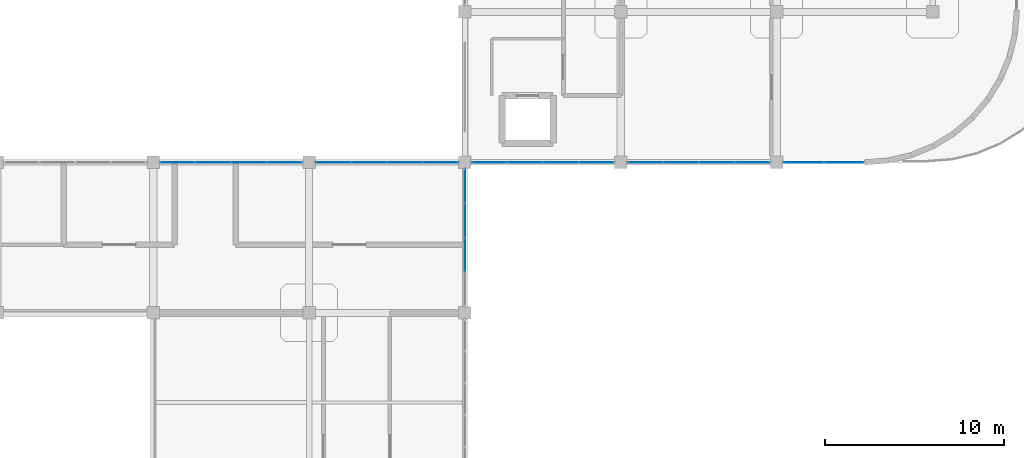
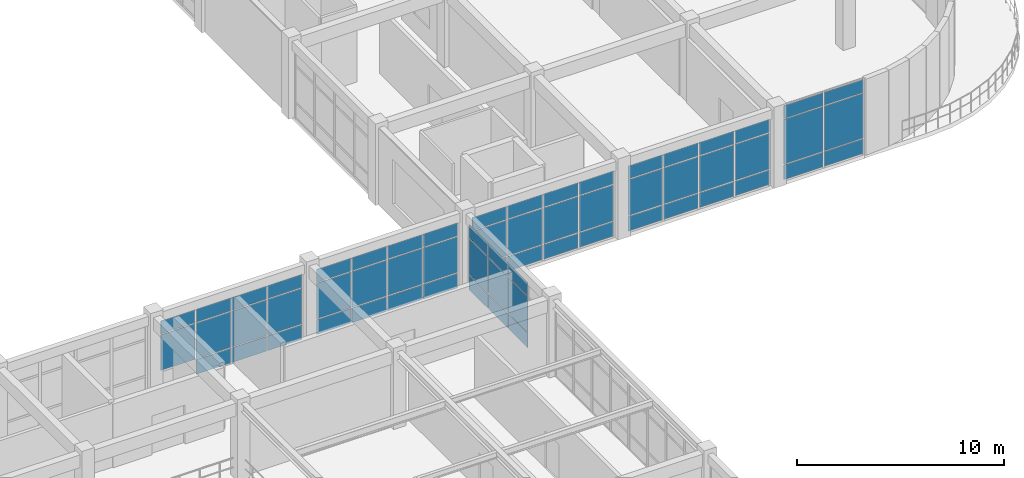
# One storey, part 57 of 76: 62 plates, 6 elements without a shape of their own.
"""IFC4 building model written with IfcOpenShell, lengths in metres."""

from ifc_helpers import new_model, si_unit, derived_unit, direction, frame, origin, origin_2d, place, context, subcontext, project, spatial, rectangle, extrude, material, layer, layer_set, type_object, element, aggregate, save


model = new_model("IFC4")

# Units and contexts
model_context = context("Model", 3, precision=1e-05, world=origin(), true_north=direction((0.0, 1.0)))
body_context = subcontext(model_context, "Body", "Model", "MODEL_VIEW")
ifc_project = project(units=[si_unit("LENGTHUNIT", "METRE"), si_unit("AREAUNIT", "SQUARE_METRE"), si_unit("VOLUMEUNIT", "CUBIC_METRE"), si_unit("PLANEANGLEUNIT", "RADIAN"), si_unit("MASSUNIT", "GRAM", prefix="KILO"), derived_unit("THERMALTRANSMITTANCEUNIT", [(si_unit("MASSUNIT", "GRAM", prefix="KILO"), 1), (si_unit("TIMEUNIT", "SECOND"), -3), (si_unit("THERMODYNAMICTEMPERATUREUNIT", "KELVIN"), -1)])], contexts=[model_context])

# Site, building, storey
site_placement = place(None, origin())
site = spatial("IfcSite", under=ifc_project, at=site_placement, CompositionType="ELEMENT")
building_placement = place(site_placement, origin())
building = spatial("IfcBuilding", under=site, at=building_placement, Name="Qinzheling Arcade Emporium", CompositionType="ELEMENT")
storey_placement = place(building_placement, frame((0.0, 0.0, 26.699951171875)))
storey = spatial("IfcBuildingStorey", under=building, at=storey_placement, Name="L06", CompositionType="ELEMENT", Elevation=26.699951171875)

# Curtain wall, plates
ifc_material_1 = material(Name="Anodised aluminium and solar-control double glazing", Category="aluminium")
ifc_layer_1 = layer(ifc_material_1, 0.159912109375, Name="Anodised aluminium and solar-control double glazing", Category="aluminium")
ifc_layer_set_1 = layer_set([ifc_layer_1], Name="Anodised aluminium and solar-control double glazing")
curtain_wall_type_1 = type_object("IfcCurtainWallType", Name="Arcade Portal Glazed Curtain Wall", PredefinedType="NOTDEFINED", material=ifc_layer_set_1)
curtain_wall_1_placement = place(storey_placement, origin())
curtain_wall_1 = element("IfcCurtainWall", 1, at=curtain_wall_1_placement, inside=storey, type_object=curtain_wall_type_1, Name="Curtain Wall CW-L06-395", PredefinedType="NOTDEFINED")
ifc_material_2 = material(Name="Laminated solar-control double glazing", Category="glass")
ifc_layer_2 = layer(ifc_material_2, 0.02099609375, Name="Laminated solar-control double glazing", Category="glass")
ifc_layer_set_2 = layer_set([ifc_layer_2], Name="Laminated solar-control double glazing")
plate_type_1 = type_object("IfcPlateType", Name="Low-E Double Glazed Curtain Panel 21mm", PredefinedType="CURTAIN_PANEL", material=ifc_layer_set_2)
plate_1_placement = place(storey_placement, frame((120.43359375, 73.800048828125, 0.06005859375), z_axis=(0.0, 0.0, 1.0), x_axis=(-1.0, 0.0, 0.0)))
plate_1 = element("IfcPlate", 2, at=plate_1_placement, type_object=plate_type_1, Name="CW05 panel 1.1", PredefinedType="CURTAIN_PANEL", context=body_context, shape_type="SweptSolid", body=[
    extrude(rectangle(XDim=1.908935546875, YDim=0.02099609375, at=origin_2d()), origin(), (0.0, 0.0, 1.0), 0.860107421875),
])
plate_2_placement = place(storey_placement, frame((120.43359375, 73.800048828125, 0.97998046875), z_axis=(0.0, 0.0, 1.0), x_axis=(-1.0, 0.0, 0.0)))
plate_2 = element("IfcPlate", 3, at=plate_2_placement, type_object=plate_type_1, Name="CW05 panel 1.2", PredefinedType="CURTAIN_PANEL", context=body_context, shape_type="SweptSolid", body=[
    extrude(rectangle(XDim=1.908935546875, YDim=0.02099609375, at=origin_2d()), origin(), (0.0, 0.0, 1.0), 2.110107421875),
])
plate_3_placement = place(storey_placement, frame((120.43359375, 73.800048828125, 3.14990234375), z_axis=(0.0, 0.0, 1.0), x_axis=(-1.0, 0.0, 0.0)))
plate_3 = element("IfcPlate", 4, at=plate_3_placement, type_object=plate_type_1, Name="CW05 panel 1.3", PredefinedType="CURTAIN_PANEL", context=body_context, shape_type="SweptSolid", body=[
    extrude(rectangle(XDim=1.908935546875, YDim=0.02099609375, at=origin_2d()), origin(), (0.0, 0.0, 1.0), 0.760009765625),
])
plate_4_placement = place(storey_placement, frame((118.449462890625, 73.800048828125, 0.06005859375), z_axis=(0.0, 0.0, 1.0), x_axis=(-1.0, 0.0, 0.0)))
plate_4 = element("IfcPlate", 5, at=plate_4_placement, type_object=plate_type_1, Name="CW05 panel 2.1", PredefinedType="CURTAIN_PANEL", context=body_context, shape_type="SweptSolid", body=[
    extrude(rectangle(XDim=1.93896484375, YDim=0.02099609375, at=origin_2d()), origin(), (0.0, 0.0, 1.0), 0.860107421875),
])
plate_5_placement = place(storey_placement, frame((118.449462890625, 73.800048828125, 0.97998046875), z_axis=(0.0, 0.0, 1.0), x_axis=(-1.0, 0.0, 0.0)))
plate_5 = element("IfcPlate", 6, at=plate_5_placement, type_object=plate_type_1, Name="CW05 panel 2.2", PredefinedType="CURTAIN_PANEL", context=body_context, shape_type="SweptSolid", body=[
    extrude(rectangle(XDim=1.93896484375, YDim=0.02099609375, at=origin_2d()), origin(), (0.0, 0.0, 1.0), 2.110107421875),
])
plate_6_placement = place(storey_placement, frame((118.449462890625, 73.800048828125, 3.14990234375), z_axis=(0.0, 0.0, 1.0), x_axis=(-1.0, 0.0, 0.0)))
plate_6 = element("IfcPlate", 7, at=plate_6_placement, type_object=plate_type_1, Name="CW05 panel 2.3", PredefinedType="CURTAIN_PANEL", context=body_context, shape_type="SweptSolid", body=[
    extrude(rectangle(XDim=1.93896484375, YDim=0.02099609375, at=origin_2d()), origin(), (0.0, 0.0, 1.0), 0.760009765625),
])
plate_7_placement = place(storey_placement, frame((116.450439453125, 73.800048828125, 0.06005859375), z_axis=(0.0, 0.0, 1.0), x_axis=(-1.0, 0.0, 0.0)))
plate_7 = element("IfcPlate", 8, at=plate_7_placement, type_object=plate_type_1, Name="CW05 panel 3.1", PredefinedType="CURTAIN_PANEL", context=body_context, shape_type="SweptSolid", body=[
    extrude(rectangle(XDim=1.93896484375, YDim=0.02099609375, at=origin_2d()), origin(), (0.0, 0.0, 1.0), 0.860107421875),
])
plate_8_placement = place(storey_placement, frame((116.450439453125, 73.800048828125, 0.97998046875), z_axis=(0.0, 0.0, 1.0), x_axis=(-1.0, 0.0, 0.0)))
plate_8 = element("IfcPlate", 9, at=plate_8_placement, type_object=plate_type_1, Name="CW05 panel 3.2", PredefinedType="CURTAIN_PANEL", context=body_context, shape_type="SweptSolid", body=[
    extrude(rectangle(XDim=1.93896484375, YDim=0.02099609375, at=origin_2d()), origin(), (0.0, 0.0, 1.0), 2.110107421875),
])
plate_9_placement = place(storey_placement, frame((116.450439453125, 73.800048828125, 3.14990234375), z_axis=(0.0, 0.0, 1.0), x_axis=(-1.0, 0.0, 0.0)))
plate_9 = element("IfcPlate", 10, at=plate_9_placement, type_object=plate_type_1, Name="CW05 panel 3.3", PredefinedType="CURTAIN_PANEL", context=body_context, shape_type="SweptSolid", body=[
    extrude(rectangle(XDim=1.93896484375, YDim=0.02099609375, at=origin_2d()), origin(), (0.0, 0.0, 1.0), 0.760009765625),
])
plate_10_placement = place(storey_placement, frame((114.466552734375, 73.800048828125, 0.06005859375), z_axis=(0.0, 0.0, 1.0), x_axis=(-1.0, 0.0, 0.0)))
plate_10 = element("IfcPlate", 11, at=plate_10_placement, type_object=plate_type_1, Name="CW05 panel 4.1", PredefinedType="CURTAIN_PANEL", context=body_context, shape_type="SweptSolid", body=[
    extrude(rectangle(XDim=1.908935546875, YDim=0.02099609375, at=origin_2d()), origin(), (0.0, 0.0, 1.0), 0.860107421875),
])
plate_11_placement = place(storey_placement, frame((114.466552734375, 73.800048828125, 0.97998046875), z_axis=(0.0, 0.0, 1.0), x_axis=(-1.0, 0.0, 0.0)))
plate_11 = element("IfcPlate", 12, at=plate_11_placement, type_object=plate_type_1, Name="CW05 panel 4.2", PredefinedType="CURTAIN_PANEL", context=body_context, shape_type="SweptSolid", body=[
    extrude(rectangle(XDim=1.908935546875, YDim=0.02099609375, at=origin_2d()), origin(), (0.0, 0.0, 1.0), 2.110107421875),
])
plate_12_placement = place(storey_placement, frame((114.466552734375, 73.800048828125, 3.14990234375), z_axis=(0.0, 0.0, 1.0), x_axis=(-1.0, 0.0, 0.0)))
plate_12 = element("IfcPlate", 13, at=plate_12_placement, type_object=plate_type_1, Name="CW05 panel 4.3", PredefinedType="CURTAIN_PANEL", context=body_context, shape_type="SweptSolid", body=[
    extrude(rectangle(XDim=1.908935546875, YDim=0.02099609375, at=origin_2d()), origin(), (0.0, 0.0, 1.0), 0.760009765625),
])
aggregate(curtain_wall_1, [plate_1, plate_2, plate_3, plate_4, plate_5, plate_6, plate_7, plate_8, plate_9, plate_10, plate_11, plate_12])

curtain_wall_2_placement = place(storey_placement, origin())
curtain_wall_2 = element("IfcCurtainWall", 14, at=curtain_wall_2_placement, inside=storey, type_object=curtain_wall_type_1, Name="Curtain Wall CW-L06-396", PredefinedType="NOTDEFINED")
ifc_layer_3 = layer(ifc_material_2, 0.02197265625, Name="Laminated solar-control double glazing", Category="glass")
ifc_layer_set_3 = layer_set([ifc_layer_3], Name="Laminated solar-control double glazing")
plate_type_2 = type_object("IfcPlateType", Name="Low-E Double Glazed Curtain Panel 22mm", PredefinedType="CURTAIN_PANEL", material=ifc_layer_set_3)
plate_13_placement = place(storey_placement, frame((111.7333984375, 73.800048828125, 0.06005859375), z_axis=(0.0, 0.0, 1.0), x_axis=(-1.0, 0.0, 0.0)))
plate_13 = element("IfcPlate", 15, at=plate_13_placement, type_object=plate_type_2, Name="CW05 panel 1.1", PredefinedType="CURTAIN_PANEL", context=body_context, shape_type="SweptSolid", body=[
    extrude(rectangle(XDim=1.908935546875, YDim=0.02197265625, at=origin_2d()), origin(), (0.0, 0.0, 1.0), 0.860107421875),
])
plate_14_placement = place(storey_placement, frame((111.7333984375, 73.800048828125, 0.97998046875), z_axis=(0.0, 0.0, 1.0), x_axis=(-1.0, 0.0, 0.0)))
plate_14 = element("IfcPlate", 16, at=plate_14_placement, type_object=plate_type_2, Name="CW05 panel 1.2", PredefinedType="CURTAIN_PANEL", context=body_context, shape_type="SweptSolid", body=[
    extrude(rectangle(XDim=1.908935546875, YDim=0.02197265625, at=origin_2d()), origin(), (0.0, 0.0, 1.0), 2.110107421875),
])
plate_15_placement = place(storey_placement, frame((111.7333984375, 73.800048828125, 3.14990234375), z_axis=(0.0, 0.0, 1.0), x_axis=(-1.0, 0.0, 0.0)))
plate_15 = element("IfcPlate", 17, at=plate_15_placement, type_object=plate_type_2, Name="CW05 panel 1.3", PredefinedType="CURTAIN_PANEL", context=body_context, shape_type="SweptSolid", body=[
    extrude(rectangle(XDim=1.908935546875, YDim=0.02197265625, at=origin_2d()), origin(), (0.0, 0.0, 1.0), 0.760009765625),
])
plate_16_placement = place(storey_placement, frame((109.74951171875, 73.800048828125, 0.06005859375), z_axis=(0.0, 0.0, 1.0), x_axis=(-1.0, 0.0, 0.0)))
plate_16 = element("IfcPlate", 18, at=plate_16_placement, type_object=plate_type_2, Name="CW05 panel 2.1", PredefinedType="CURTAIN_PANEL", context=body_context, shape_type="SweptSolid", body=[
    extrude(rectangle(XDim=1.93896484375, YDim=0.02197265625, at=origin_2d()), origin(), (0.0, 0.0, 1.0), 0.860107421875),
])
plate_17_placement = place(storey_placement, frame((109.74951171875, 73.800048828125, 0.97998046875), z_axis=(0.0, 0.0, 1.0), x_axis=(-1.0, 0.0, 0.0)))
plate_17 = element("IfcPlate", 19, at=plate_17_placement, type_object=plate_type_2, Name="CW05 panel 2.2", PredefinedType="CURTAIN_PANEL", context=body_context, shape_type="SweptSolid", body=[
    extrude(rectangle(XDim=1.93896484375, YDim=0.02197265625, at=origin_2d()), origin(), (0.0, 0.0, 1.0), 2.110107421875),
])
plate_18_placement = place(storey_placement, frame((109.74951171875, 73.800048828125, 3.14990234375), z_axis=(0.0, 0.0, 1.0), x_axis=(-1.0, 0.0, 0.0)))
plate_18 = element("IfcPlate", 20, at=plate_18_placement, type_object=plate_type_2, Name="CW05 panel 2.3", PredefinedType="CURTAIN_PANEL", context=body_context, shape_type="SweptSolid", body=[
    extrude(rectangle(XDim=1.93896484375, YDim=0.02197265625, at=origin_2d()), origin(), (0.0, 0.0, 1.0), 0.760009765625),
])
plate_19_placement = place(storey_placement, frame((107.75048828125, 73.800048828125, 0.06005859375), z_axis=(0.0, 0.0, 1.0), x_axis=(-1.0, 0.0, 0.0)))
plate_19 = element("IfcPlate", 21, at=plate_19_placement, type_object=plate_type_2, Name="CW05 panel 3.1", PredefinedType="CURTAIN_PANEL", context=body_context, shape_type="SweptSolid", body=[
    extrude(rectangle(XDim=1.93896484375, YDim=0.02197265625, at=origin_2d()), origin(), (0.0, 0.0, 1.0), 0.860107421875),
])
plate_20_placement = place(storey_placement, frame((107.75048828125, 73.800048828125, 0.97998046875), z_axis=(0.0, 0.0, 1.0), x_axis=(-1.0, 0.0, 0.0)))
plate_20 = element("IfcPlate", 22, at=plate_20_placement, type_object=plate_type_2, Name="CW05 panel 3.2", PredefinedType="CURTAIN_PANEL", context=body_context, shape_type="SweptSolid", body=[
    extrude(rectangle(XDim=1.93896484375, YDim=0.02197265625, at=origin_2d()), origin(), (0.0, 0.0, 1.0), 2.110107421875),
])
plate_21_placement = place(storey_placement, frame((107.75048828125, 73.800048828125, 3.14990234375), z_axis=(0.0, 0.0, 1.0), x_axis=(-1.0, 0.0, 0.0)))
plate_21 = element("IfcPlate", 23, at=plate_21_placement, type_object=plate_type_2, Name="CW05 panel 3.3", PredefinedType="CURTAIN_PANEL", context=body_context, shape_type="SweptSolid", body=[
    extrude(rectangle(XDim=1.93896484375, YDim=0.02197265625, at=origin_2d()), origin(), (0.0, 0.0, 1.0), 0.760009765625),
])
plate_22_placement = place(storey_placement, frame((105.7666015625, 73.800048828125, 0.06005859375), z_axis=(0.0, 0.0, 1.0), x_axis=(-1.0, 0.0, 0.0)))
plate_22 = element("IfcPlate", 24, at=plate_22_placement, type_object=plate_type_2, Name="CW05 panel 4.1", PredefinedType="CURTAIN_PANEL", context=body_context, shape_type="SweptSolid", body=[
    extrude(rectangle(XDim=1.908935546875, YDim=0.02197265625, at=origin_2d()), origin(), (0.0, 0.0, 1.0), 0.860107421875),
])
plate_23_placement = place(storey_placement, frame((105.7666015625, 73.800048828125, 0.97998046875), z_axis=(0.0, 0.0, 1.0), x_axis=(-1.0, 0.0, 0.0)))
plate_23 = element("IfcPlate", 25, at=plate_23_placement, type_object=plate_type_2, Name="CW05 panel 4.2", PredefinedType="CURTAIN_PANEL", context=body_context, shape_type="SweptSolid", body=[
    extrude(rectangle(XDim=1.908935546875, YDim=0.02197265625, at=origin_2d()), origin(), (0.0, 0.0, 1.0), 2.110107421875),
])
plate_24_placement = place(storey_placement, frame((105.7666015625, 73.800048828125, 3.14990234375), z_axis=(0.0, 0.0, 1.0), x_axis=(-1.0, 0.0, 0.0)))
plate_24 = element("IfcPlate", 26, at=plate_24_placement, type_object=plate_type_2, Name="CW05 panel 4.3", PredefinedType="CURTAIN_PANEL", context=body_context, shape_type="SweptSolid", body=[
    extrude(rectangle(XDim=1.908935546875, YDim=0.02197265625, at=origin_2d()), origin(), (0.0, 0.0, 1.0), 0.760009765625),
])
aggregate(curtain_wall_2, [plate_13, plate_14, plate_15, plate_16, plate_17, plate_18, plate_19, plate_20, plate_21, plate_22, plate_23, plate_24])

ifc_layer_4 = layer(ifc_material_1, 0.159912109375, Name="Anodised aluminium and solar-control double glazing", Category="aluminium")
ifc_layer_set_4 = layer_set([ifc_layer_4], Name="Anodised aluminium and solar-control double glazing")
curtain_wall_type_2 = type_object("IfcCurtainWallType", Name="Atrium Clerestory Curtain Wall", PredefinedType="NOTDEFINED", material=ifc_layer_set_4)
curtain_wall_3_placement = place(storey_placement, origin())
curtain_wall_3 = element("IfcCurtainWall", 27, at=curtain_wall_3_placement, inside=storey, type_object=curtain_wall_type_2, Name="Curtain Wall CW-L06-371", PredefinedType="NOTDEFINED")
ifc_layer_5 = layer(ifc_material_2, 0.030029296875, Name="Laminated solar-control double glazing", Category="glass")
ifc_layer_set_5 = layer_set([ifc_layer_5], Name="Laminated solar-control double glazing")
plate_type_3 = type_object("IfcPlateType", Name="Low-E Double Glazed Curtain Panel 30mm", PredefinedType="CURTAIN_PANEL", material=ifc_layer_set_5)
plate_25_placement = place(storey_placement, frame((88.366455078125, 73.800048828125, 0.97998046875), z_axis=(0.0, 0.0, 1.0), x_axis=(1.0, 0.0, 0.0)))
plate_25 = element("IfcPlate", 28, at=plate_25_placement, type_object=plate_type_3, Name="CW03 panel 1.2", PredefinedType="CURTAIN_PANEL", context=body_context, shape_type="SweptSolid", body=[
    extrude(rectangle(XDim=1.908935546875, YDim=0.030029296875, at=origin_2d()), origin(), (0.0, 0.0, 1.0), 2.094970703125),
])
plate_26_placement = place(storey_placement, frame((88.366455078125, 73.800048828125, 3.13525390625), z_axis=(0.0, 0.0, 1.0), x_axis=(1.0, 0.0, 0.0)))
plate_26 = element("IfcPlate", 29, at=plate_26_placement, type_object=plate_type_3, Name="CW03 panel 1.3", PredefinedType="CURTAIN_PANEL", context=body_context, shape_type="SweptSolid", body=[
    extrude(rectangle(XDim=1.908935546875, YDim=0.030029296875, at=origin_2d()), origin(), (0.0, 0.0, 1.0), 0.760009765625),
])
plate_27_placement = place(storey_placement, frame((90.3505859375, 73.800048828125, 0.06005859375), z_axis=(0.0, 0.0, 1.0), x_axis=(1.0, 0.0, 0.0)))
plate_27 = element("IfcPlate", 30, at=plate_27_placement, type_object=plate_type_3, Name="CW03 panel 2.1", PredefinedType="CURTAIN_PANEL", context=body_context, shape_type="SweptSolid", body=[
    extrude(rectangle(XDim=1.93896484375, YDim=0.030029296875, at=origin_2d()), origin(), (0.0, 0.0, 1.0), 0.860107421875),
])
plate_28_placement = place(storey_placement, frame((90.3505859375, 73.800048828125, 0.97998046875), z_axis=(0.0, 0.0, 1.0), x_axis=(1.0, 0.0, 0.0)))
plate_28 = element("IfcPlate", 31, at=plate_28_placement, type_object=plate_type_3, Name="CW03 panel 2.2", PredefinedType="CURTAIN_PANEL", context=body_context, shape_type="SweptSolid", body=[
    extrude(rectangle(XDim=1.93896484375, YDim=0.030029296875, at=origin_2d()), origin(), (0.0, 0.0, 1.0), 2.094970703125),
])
plate_29_placement = place(storey_placement, frame((90.3505859375, 73.800048828125, 3.13525390625), z_axis=(0.0, 0.0, 1.0), x_axis=(1.0, 0.0, 0.0)))
plate_29 = element("IfcPlate", 32, at=plate_29_placement, type_object=plate_type_3, Name="CW03 panel 2.3", PredefinedType="CURTAIN_PANEL", context=body_context, shape_type="SweptSolid", body=[
    extrude(rectangle(XDim=1.93896484375, YDim=0.030029296875, at=origin_2d()), origin(), (0.0, 0.0, 1.0), 0.760009765625),
])
plate_30_placement = place(storey_placement, frame((92.349609375, 73.800048828125, 0.06005859375), z_axis=(0.0, 0.0, 1.0), x_axis=(1.0, 0.0, 0.0)))
plate_30 = element("IfcPlate", 33, at=plate_30_placement, type_object=plate_type_3, Name="CW03 panel 3.1", PredefinedType="CURTAIN_PANEL", context=body_context, shape_type="SweptSolid", body=[
    extrude(rectangle(XDim=1.93896484375, YDim=0.030029296875, at=origin_2d()), origin(), (0.0, 0.0, 1.0), 0.860107421875),
])
plate_31_placement = place(storey_placement, frame((92.349609375, 73.800048828125, 0.97998046875), z_axis=(0.0, 0.0, 1.0), x_axis=(1.0, 0.0, 0.0)))
plate_31 = element("IfcPlate", 34, at=plate_31_placement, type_object=plate_type_3, Name="CW03 panel 3.2", PredefinedType="CURTAIN_PANEL", context=body_context, shape_type="SweptSolid", body=[
    extrude(rectangle(XDim=1.93896484375, YDim=0.030029296875, at=origin_2d()), origin(), (0.0, 0.0, 1.0), 2.094970703125),
])
plate_32_placement = place(storey_placement, frame((92.349609375, 73.800048828125, 3.13525390625), z_axis=(0.0, 0.0, 1.0), x_axis=(1.0, 0.0, 0.0)))
plate_32 = element("IfcPlate", 35, at=plate_32_placement, type_object=plate_type_3, Name="CW03 panel 3.3", PredefinedType="CURTAIN_PANEL", context=body_context, shape_type="SweptSolid", body=[
    extrude(rectangle(XDim=1.93896484375, YDim=0.030029296875, at=origin_2d()), origin(), (0.0, 0.0, 1.0), 0.760009765625),
])
plate_33_placement = place(storey_placement, frame((94.33349609375, 73.800048828125, 0.06005859375), z_axis=(0.0, 0.0, 1.0), x_axis=(1.0, 0.0, 0.0)))
plate_33 = element("IfcPlate", 36, at=plate_33_placement, type_object=plate_type_3, Name="CW03 panel 4.1", PredefinedType="CURTAIN_PANEL", context=body_context, shape_type="SweptSolid", body=[
    extrude(rectangle(XDim=1.908935546875, YDim=0.030029296875, at=origin_2d()), origin(), (0.0, 0.0, 1.0), 0.860107421875),
])
plate_34_placement = place(storey_placement, frame((94.33349609375, 73.800048828125, 0.97998046875), z_axis=(0.0, 0.0, 1.0), x_axis=(1.0, 0.0, 0.0)))
plate_34 = element("IfcPlate", 37, at=plate_34_placement, type_object=plate_type_3, Name="CW03 panel 4.2", PredefinedType="CURTAIN_PANEL", context=body_context, shape_type="SweptSolid", body=[
    extrude(rectangle(XDim=1.908935546875, YDim=0.030029296875, at=origin_2d()), origin(), (0.0, 0.0, 1.0), 2.094970703125),
])
plate_35_placement = place(storey_placement, frame((94.33349609375, 73.800048828125, 3.13525390625), z_axis=(0.0, 0.0, 1.0), x_axis=(1.0, 0.0, 0.0)))
plate_35 = element("IfcPlate", 38, at=plate_35_placement, type_object=plate_type_3, Name="CW03 panel 4.3", PredefinedType="CURTAIN_PANEL", context=body_context, shape_type="SweptSolid", body=[
    extrude(rectangle(XDim=1.908935546875, YDim=0.030029296875, at=origin_2d()), origin(), (0.0, 0.0, 1.0), 0.760009765625),
])
aggregate(curtain_wall_3, [plate_25, plate_26, plate_27, plate_28, plate_29, plate_30, plate_31, plate_32, plate_33, plate_34, plate_35])

curtain_wall_4_placement = place(storey_placement, origin())
curtain_wall_4 = element("IfcCurtainWall", 39, at=curtain_wall_4_placement, inside=storey, type_object=curtain_wall_type_2, Name="Curtain Wall CW-L06-372", PredefinedType="NOTDEFINED")
ifc_layer_6 = layer(ifc_material_2, 0.031005859375, Name="Laminated solar-control double glazing", Category="glass")
ifc_layer_set_6 = layer_set([ifc_layer_6], Name="Laminated solar-control double glazing")
plate_type_4 = type_object("IfcPlateType", Name="Low-E Double Glazed Curtain Panel 31mm", PredefinedType="CURTAIN_PANEL", material=ifc_layer_set_6)
plate_36_placement = place(storey_placement, frame((97.06640625, 73.800048828125, 0.06005859375), z_axis=(0.0, 0.0, 1.0), x_axis=(1.0, 0.0, 0.0)))
plate_36 = element("IfcPlate", 40, at=plate_36_placement, type_object=plate_type_4, Name="CW03 panel 1.1", PredefinedType="CURTAIN_PANEL", context=body_context, shape_type="SweptSolid", body=[
    extrude(rectangle(XDim=1.908935546875, YDim=0.031005859375, at=origin_2d()), origin(), (0.0, 0.0, 1.0), 0.860107421875),
])
plate_37_placement = place(storey_placement, frame((97.06640625, 73.800048828125, 0.97998046875), z_axis=(0.0, 0.0, 1.0), x_axis=(1.0, 0.0, 0.0)))
plate_37 = element("IfcPlate", 41, at=plate_37_placement, type_object=plate_type_4, Name="CW03 panel 1.2", PredefinedType="CURTAIN_PANEL", context=body_context, shape_type="SweptSolid", body=[
    extrude(rectangle(XDim=1.908935546875, YDim=0.031005859375, at=origin_2d()), origin(), (0.0, 0.0, 1.0), 2.094970703125),
])
plate_38_placement = place(storey_placement, frame((97.06640625, 73.800048828125, 3.13525390625), z_axis=(0.0, 0.0, 1.0), x_axis=(1.0, 0.0, 0.0)))
plate_38 = element("IfcPlate", 42, at=plate_38_placement, type_object=plate_type_4, Name="CW03 panel 1.3", PredefinedType="CURTAIN_PANEL", context=body_context, shape_type="SweptSolid", body=[
    extrude(rectangle(XDim=1.908935546875, YDim=0.031005859375, at=origin_2d()), origin(), (0.0, 0.0, 1.0), 0.760009765625),
])
plate_39_placement = place(storey_placement, frame((99.050537109375, 73.800048828125, 0.06005859375), z_axis=(0.0, 0.0, 1.0), x_axis=(1.0, 0.0, 0.0)))
plate_39 = element("IfcPlate", 43, at=plate_39_placement, type_object=plate_type_4, Name="CW03 panel 2.1", PredefinedType="CURTAIN_PANEL", context=body_context, shape_type="SweptSolid", body=[
    extrude(rectangle(XDim=1.93896484375, YDim=0.031005859375, at=origin_2d()), origin(), (0.0, 0.0, 1.0), 0.860107421875),
])
plate_40_placement = place(storey_placement, frame((99.050537109375, 73.800048828125, 0.97998046875), z_axis=(0.0, 0.0, 1.0), x_axis=(1.0, 0.0, 0.0)))
plate_40 = element("IfcPlate", 44, at=plate_40_placement, type_object=plate_type_4, Name="CW03 panel 2.2", PredefinedType="CURTAIN_PANEL", context=body_context, shape_type="SweptSolid", body=[
    extrude(rectangle(XDim=1.93896484375, YDim=0.031005859375, at=origin_2d()), origin(), (0.0, 0.0, 1.0), 2.094970703125),
])
plate_41_placement = place(storey_placement, frame((99.050537109375, 73.800048828125, 3.13525390625), z_axis=(0.0, 0.0, 1.0), x_axis=(1.0, 0.0, 0.0)))
plate_41 = element("IfcPlate", 45, at=plate_41_placement, type_object=plate_type_4, Name="CW03 panel 2.3", PredefinedType="CURTAIN_PANEL", context=body_context, shape_type="SweptSolid", body=[
    extrude(rectangle(XDim=1.93896484375, YDim=0.031005859375, at=origin_2d()), origin(), (0.0, 0.0, 1.0), 0.760009765625),
])
plate_42_placement = place(storey_placement, frame((101.049560546875, 73.800048828125, 0.06005859375), z_axis=(0.0, 0.0, 1.0), x_axis=(1.0, 0.0, 0.0)))
plate_42 = element("IfcPlate", 46, at=plate_42_placement, type_object=plate_type_4, Name="CW03 panel 3.1", PredefinedType="CURTAIN_PANEL", context=body_context, shape_type="SweptSolid", body=[
    extrude(rectangle(XDim=1.93896484375, YDim=0.031005859375, at=origin_2d()), origin(), (0.0, 0.0, 1.0), 0.860107421875),
])
plate_43_placement = place(storey_placement, frame((101.049560546875, 73.800048828125, 0.97998046875), z_axis=(0.0, 0.0, 1.0), x_axis=(1.0, 0.0, 0.0)))
plate_43 = element("IfcPlate", 47, at=plate_43_placement, type_object=plate_type_4, Name="CW03 panel 3.2", PredefinedType="CURTAIN_PANEL", context=body_context, shape_type="SweptSolid", body=[
    extrude(rectangle(XDim=1.93896484375, YDim=0.031005859375, at=origin_2d()), origin(), (0.0, 0.0, 1.0), 2.094970703125),
])
plate_44_placement = place(storey_placement, frame((101.049560546875, 73.800048828125, 3.13525390625), z_axis=(0.0, 0.0, 1.0), x_axis=(1.0, 0.0, 0.0)))
plate_44 = element("IfcPlate", 48, at=plate_44_placement, type_object=plate_type_4, Name="CW03 panel 3.3", PredefinedType="CURTAIN_PANEL", context=body_context, shape_type="SweptSolid", body=[
    extrude(rectangle(XDim=1.93896484375, YDim=0.031005859375, at=origin_2d()), origin(), (0.0, 0.0, 1.0), 0.760009765625),
])
plate_45_placement = place(storey_placement, frame((103.033447265625, 73.800048828125, 0.06005859375), z_axis=(0.0, 0.0, 1.0), x_axis=(1.0, 0.0, 0.0)))
plate_45 = element("IfcPlate", 49, at=plate_45_placement, type_object=plate_type_4, Name="CW03 panel 4.1", PredefinedType="CURTAIN_PANEL", context=body_context, shape_type="SweptSolid", body=[
    extrude(rectangle(XDim=1.908935546875, YDim=0.031005859375, at=origin_2d()), origin(), (0.0, 0.0, 1.0), 0.860107421875),
])
plate_46_placement = place(storey_placement, frame((103.033447265625, 73.800048828125, 0.97998046875), z_axis=(0.0, 0.0, 1.0), x_axis=(1.0, 0.0, 0.0)))
plate_46 = element("IfcPlate", 50, at=plate_46_placement, type_object=plate_type_4, Name="CW03 panel 4.2", PredefinedType="CURTAIN_PANEL", context=body_context, shape_type="SweptSolid", body=[
    extrude(rectangle(XDim=1.908935546875, YDim=0.031005859375, at=origin_2d()), origin(), (0.0, 0.0, 1.0), 2.094970703125),
])
plate_47_placement = place(storey_placement, frame((103.033447265625, 73.800048828125, 3.13525390625), z_axis=(0.0, 0.0, 1.0), x_axis=(1.0, 0.0, 0.0)))
plate_47 = element("IfcPlate", 51, at=plate_47_placement, type_object=plate_type_4, Name="CW03 panel 4.3", PredefinedType="CURTAIN_PANEL", context=body_context, shape_type="SweptSolid", body=[
    extrude(rectangle(XDim=1.908935546875, YDim=0.031005859375, at=origin_2d()), origin(), (0.0, 0.0, 1.0), 0.760009765625),
])
aggregate(curtain_wall_4, [plate_36, plate_37, plate_38, plate_39, plate_40, plate_41, plate_42, plate_43, plate_44, plate_45, plate_46, plate_47])

curtain_wall_5_placement = place(storey_placement, origin())
curtain_wall_5 = element("IfcCurtainWall", 52, at=curtain_wall_5_placement, inside=storey, type_object=curtain_wall_type_2, Name="Curtain Wall CW-L06-373", PredefinedType="NOTDEFINED")
ifc_layer_7 = layer(ifc_material_2, 0.031982421875, Name="Laminated solar-control double glazing", Category="glass")
ifc_layer_set_7 = layer_set([ifc_layer_7], Name="Laminated solar-control double glazing")
plate_type_5 = type_object("IfcPlateType", Name="Low-E Double Glazed Curtain Panel 32mm", PredefinedType="CURTAIN_PANEL", material=ifc_layer_set_7)
plate_48_placement = place(storey_placement, frame((104.39990234375, 72.470947265625, 0.06005859375), z_axis=(0.0, 0.0, 1.0), x_axis=(0.0, -1.0, 0.0)))
plate_48 = element("IfcPlate", 53, at=plate_48_placement, type_object=plate_type_5, Name="CW03 panel 1.1", PredefinedType="CURTAIN_PANEL", context=body_context, shape_type="SweptSolid", body=[
    extrude(rectangle(XDim=1.833984375, YDim=0.031982421875, at=origin_2d()), origin(), (0.0, 0.0, 1.0), 0.860107421875),
])
plate_49_placement = place(storey_placement, frame((104.39990234375, 72.470947265625, 0.97998046875), z_axis=(0.0, 0.0, 1.0), x_axis=(0.0, -1.0, 0.0)))
plate_49 = element("IfcPlate", 54, at=plate_49_placement, type_object=plate_type_5, Name="CW03 panel 1.2", PredefinedType="CURTAIN_PANEL", context=body_context, shape_type="SweptSolid", body=[
    extrude(rectangle(XDim=1.833984375, YDim=0.031982421875, at=origin_2d()), origin(), (0.0, 0.0, 1.0), 2.094970703125),
])
plate_50_placement = place(storey_placement, frame((104.39990234375, 72.470947265625, 3.13525390625), z_axis=(0.0, 0.0, 1.0), x_axis=(0.0, -1.0, 0.0)))
plate_50 = element("IfcPlate", 55, at=plate_50_placement, type_object=plate_type_5, Name="CW03 panel 1.3", PredefinedType="CURTAIN_PANEL", context=body_context, shape_type="SweptSolid", body=[
    extrude(rectangle(XDim=1.833984375, YDim=0.031982421875, at=origin_2d()), origin(), (0.0, 0.0, 1.0), 0.760009765625),
])
plate_51_placement = place(storey_placement, frame((104.39990234375, 70.56201171875, 0.06005859375), z_axis=(0.0, 0.0, 1.0), x_axis=(0.0, -1.0, 0.0)))
plate_51 = element("IfcPlate", 56, at=plate_51_placement, type_object=plate_type_5, Name="CW03 panel 2.1", PredefinedType="CURTAIN_PANEL", context=body_context, shape_type="SweptSolid", body=[
    extrude(rectangle(XDim=1.864013671875, YDim=0.031982421875, at=origin_2d()), origin(), (0.0, 0.0, 1.0), 0.860107421875),
])
plate_52_placement = place(storey_placement, frame((104.39990234375, 70.56201171875, 0.97998046875), z_axis=(0.0, 0.0, 1.0), x_axis=(0.0, -1.0, 0.0)))
plate_52 = element("IfcPlate", 57, at=plate_52_placement, type_object=plate_type_5, Name="CW03 panel 2.2", PredefinedType="CURTAIN_PANEL", context=body_context, shape_type="SweptSolid", body=[
    extrude(rectangle(XDim=1.864013671875, YDim=0.031982421875, at=origin_2d()), origin(), (0.0, 0.0, 1.0), 2.094970703125),
])
plate_53_placement = place(storey_placement, frame((104.39990234375, 70.56201171875, 3.13525390625), z_axis=(0.0, 0.0, 1.0), x_axis=(0.0, -1.0, 0.0)))
plate_53 = element("IfcPlate", 58, at=plate_53_placement, type_object=plate_type_5, Name="CW03 panel 2.3", PredefinedType="CURTAIN_PANEL", context=body_context, shape_type="SweptSolid", body=[
    extrude(rectangle(XDim=1.864013671875, YDim=0.031982421875, at=origin_2d()), origin(), (0.0, 0.0, 1.0), 0.760009765625),
])
plate_54_placement = place(storey_placement, frame((104.39990234375, 68.637939453125, 0.06005859375), z_axis=(0.0, 0.0, 1.0), x_axis=(0.0, -1.0, 0.0)))
plate_54 = element("IfcPlate", 59, at=plate_54_placement, type_object=plate_type_5, Name="CW03 panel 3.1", PredefinedType="CURTAIN_PANEL", context=body_context, shape_type="SweptSolid", body=[
    extrude(rectangle(XDim=1.864013671875, YDim=0.031982421875, at=origin_2d()), origin(), (0.0, 0.0, 1.0), 0.860107421875),
])
plate_55_placement = place(storey_placement, frame((104.39990234375, 68.637939453125, 0.97998046875), z_axis=(0.0, 0.0, 1.0), x_axis=(0.0, -1.0, 0.0)))
plate_55 = element("IfcPlate", 60, at=plate_55_placement, type_object=plate_type_5, Name="CW03 panel 3.2", PredefinedType="CURTAIN_PANEL", context=body_context, shape_type="SweptSolid", body=[
    extrude(rectangle(XDim=1.864013671875, YDim=0.031982421875, at=origin_2d()), origin(), (0.0, 0.0, 1.0), 2.094970703125),
])
plate_56_placement = place(storey_placement, frame((104.39990234375, 68.637939453125, 3.13525390625), z_axis=(0.0, 0.0, 1.0), x_axis=(0.0, -1.0, 0.0)))
plate_56 = element("IfcPlate", 61, at=plate_56_placement, type_object=plate_type_5, Name="CW03 panel 3.3", PredefinedType="CURTAIN_PANEL", context=body_context, shape_type="SweptSolid", body=[
    extrude(rectangle(XDim=1.864013671875, YDim=0.031982421875, at=origin_2d()), origin(), (0.0, 0.0, 1.0), 0.760009765625),
])
aggregate(curtain_wall_5, [plate_48, plate_49, plate_50, plate_51, plate_52, plate_53, plate_54, plate_55, plate_56])

curtain_wall_6_placement = place(storey_placement, origin())
curtain_wall_6 = element("IfcCurtainWall", 62, at=curtain_wall_6_placement, inside=storey, type_object=curtain_wall_type_1, Name="Curtain Wall CW-L06-394", PredefinedType="NOTDEFINED")
ifc_layer_8 = layer(ifc_material_2, 0.0419921875, Name="Laminated solar-control double glazing", Category="glass")
ifc_layer_set_8 = layer_set([ifc_layer_8], Name="Laminated solar-control double glazing")
plate_type_6 = type_object("IfcPlateType", Name="Low-E Double Glazed Curtain Panel 42mm", PredefinedType="CURTAIN_PANEL", material=ifc_layer_set_8)
plate_57_placement = place(storey_placement, frame((125.548095703125, 73.800048828125, 0.06005859375), z_axis=(0.0, 0.0, 1.0), x_axis=(-1.0, 0.0, 0.0)))
plate_57 = element("IfcPlate", 63, at=plate_57_placement, type_object=plate_type_6, Name="CW05 panel 1.1", PredefinedType="CURTAIN_PANEL", context=body_context, shape_type="SweptSolid", body=[
    extrude(rectangle(XDim=2.18408203125, YDim=0.0419921875, at=origin_2d()), origin(), (0.0, 0.0, 1.0), 0.860107421875),
])
plate_58_placement = place(storey_placement, frame((125.548095703125, 73.800048828125, 0.980224609375), z_axis=(0.0, 0.0, 1.0), x_axis=(-1.0, 0.0, 0.0)))
plate_58 = element("IfcPlate", 64, at=plate_58_placement, type_object=plate_type_6, Name="CW05 panel 1.2", PredefinedType="CURTAIN_PANEL", context=body_context, shape_type="SweptSolid", body=[
    extrude(rectangle(XDim=2.18408203125, YDim=0.0419921875, at=origin_2d()), origin(), (0.0, 0.0, 1.0), 2.6298828125),
])
plate_59_placement = place(storey_placement, frame((125.548095703125, 73.800048828125, 3.669921875), z_axis=(0.0, 0.0, 1.0), x_axis=(-1.0, 0.0, 0.0)))
plate_59 = element("IfcPlate", 65, at=plate_59_placement, type_object=plate_type_6, Name="CW05 panel 1.3", PredefinedType="CURTAIN_PANEL", context=body_context, shape_type="SweptSolid", body=[
    extrude(rectangle(XDim=2.18408203125, YDim=0.0419921875, at=origin_2d()), origin(), (0.0, 0.0, 1.0), 0.760009765625),
])
plate_60_placement = place(storey_placement, frame((123.303955078125, 73.800048828125, 0.06005859375), z_axis=(0.0, 0.0, 1.0), x_axis=(-1.0, 0.0, 0.0)))
plate_60 = element("IfcPlate", 66, at=plate_60_placement, type_object=plate_type_6, Name="CW05 panel 2.1", PredefinedType="CURTAIN_PANEL", context=body_context, shape_type="SweptSolid", body=[
    extrude(rectangle(XDim=2.18408203125, YDim=0.0419921875, at=origin_2d()), origin(), (0.0, 0.0, 1.0), 0.860107421875),
])
plate_61_placement = place(storey_placement, frame((123.303955078125, 73.800048828125, 0.980224609375), z_axis=(0.0, 0.0, 1.0), x_axis=(-1.0, 0.0, 0.0)))
plate_61 = element("IfcPlate", 67, at=plate_61_placement, type_object=plate_type_6, Name="CW05 panel 2.2", PredefinedType="CURTAIN_PANEL", context=body_context, shape_type="SweptSolid", body=[
    extrude(rectangle(XDim=2.18408203125, YDim=0.0419921875, at=origin_2d()), origin(), (0.0, 0.0, 1.0), 2.6298828125),
])
plate_62_placement = place(storey_placement, frame((123.303955078125, 73.800048828125, 3.669921875), z_axis=(0.0, 0.0, 1.0), x_axis=(-1.0, 0.0, 0.0)))
plate_62 = element("IfcPlate", 68, at=plate_62_placement, type_object=plate_type_6, Name="CW05 panel 2.3", PredefinedType="CURTAIN_PANEL", context=body_context, shape_type="SweptSolid", body=[
    extrude(rectangle(XDim=2.18408203125, YDim=0.0419921875, at=origin_2d()), origin(), (0.0, 0.0, 1.0), 0.760009765625),
])
aggregate(curtain_wall_6, [plate_57, plate_58, plate_59, plate_60, plate_61, plate_62])

save(model, "model.ifc")
